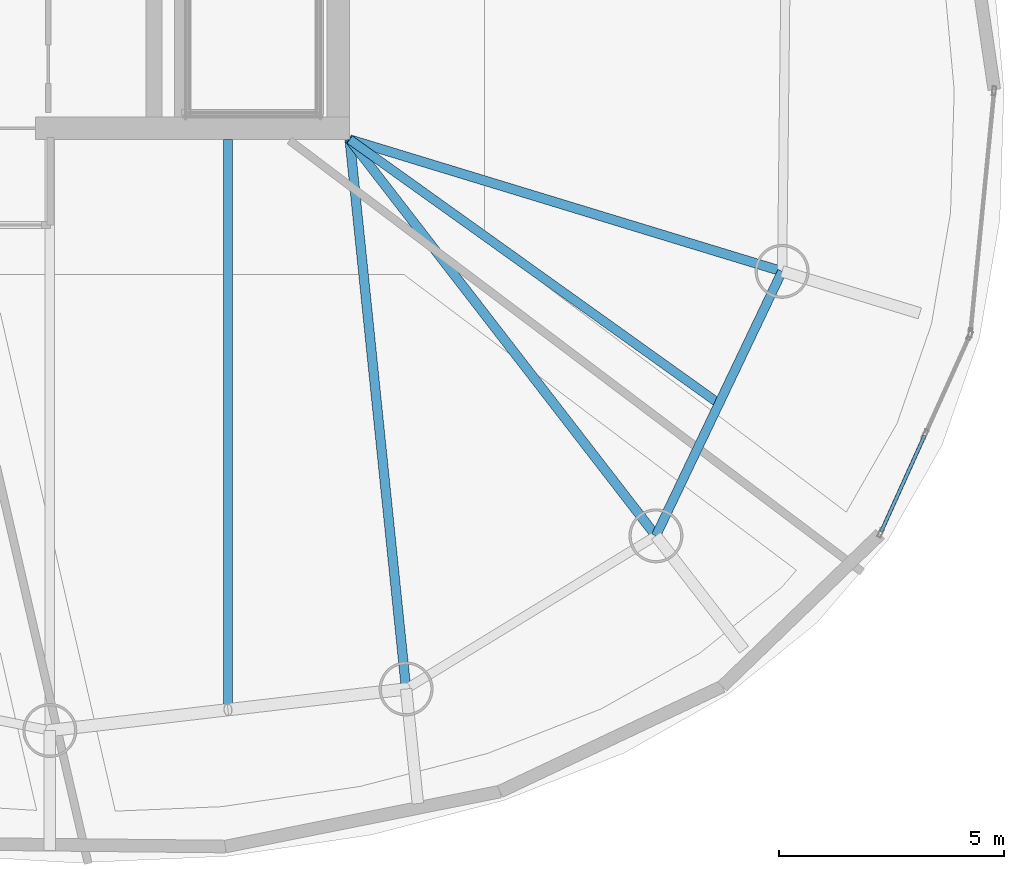
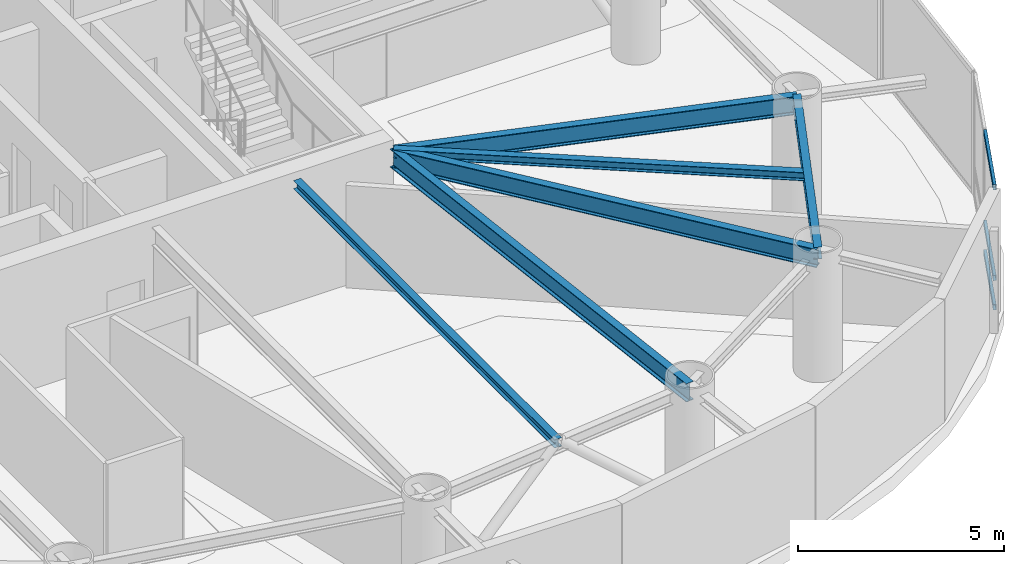
# One storey, part 8 of 25: 6 beams, 3 members, 1 element without a shape of its own.
"""IFC4 building model written with IfcOpenShell, lengths in metres."""

from ifc_helpers import new_model, si_unit, direction, frame, origin, origin_2d, place, context, subcontext, project, spatial, hollow_rectangle, i_section, extrude, material, layer, layer_set, material_profile, profile_set, type_object, element, aggregate, save


model = new_model("IFC4")

# Units and contexts
model_context = context("Model", 3, precision=1e-05, world=origin(), true_north=direction((0.0, 1.0)))
body_context = subcontext(model_context, "Body", "Model", "MODEL_VIEW")
ifc_project = project(units=[si_unit("LENGTHUNIT", "METRE"), si_unit("AREAUNIT", "SQUARE_METRE"), si_unit("VOLUMEUNIT", "CUBIC_METRE"), si_unit("PLANEANGLEUNIT", "RADIAN"), si_unit("MASSUNIT", "GRAM", prefix="KILO")], contexts=[model_context])

# Site, building, storey
site_placement = place(None, origin())
site = spatial("IfcSite", under=ifc_project, at=site_placement, CompositionType="ELEMENT")
building_placement = place(site_placement, origin())
building = spatial("IfcBuilding", under=site, at=building_placement, Name="Bramvorn Convention Spire", CompositionType="ELEMENT")
storey_placement = place(building_placement, frame((0.0, 0.0, 171.199951171875)))
storey = spatial("IfcBuildingStorey", under=building, at=storey_placement, Name="L43", CompositionType="ELEMENT", Elevation=171.199951171875)

# Beams
ifc_material_1 = material(Name="Steel CSA G40.21 Grade 350 (350W)", Category="steel")
ifc_material_profile_1 = material_profile(ifc_material_1, i_section(OverallWidth=0.201904296875, OverallDepth=0.2470703125, WebThickness=0.00732421875, FlangeThickness=0.010986328125, FilletRadius=0.011962890625, at=origin_2d()))
ifc_profile_set_1 = profile_set([ifc_material_profile_1], Name="Steel CSA G40.21 Grade 350 (350W) - W250X49")
beam_type_1 = type_object("IfcBeamType", Name="BM-W250X49", PredefinedType="JOIST", material=ifc_profile_set_1)
beam_1_placement = place(storey_placement, frame((49.25, 18.550048828125, 3.49658203125), z_axis=(0.813471895271, -0.581604225916, 0.0), x_axis=(0.581604225916, 0.813471895271, 0.0)))
element("IfcBeam", 1, at=beam_1_placement, inside=storey, type_object=beam_type_1, Name="L43 composite floor joist 01", PredefinedType="JOIST", context=body_context, shape_type="SweptSolid", body=[
    extrude(i_section(OverallWidth=0.201904296875, OverallDepth=0.2470703125, WebThickness=0.00732421875, FlangeThickness=0.010986328125, FilletRadius=0.011962890625, at=origin_2d()), origin(), (0.0, 0.0, 1.0), 10.093505859375),
])
beam_2_placement = place(storey_placement, frame((46.544189453125, 18.550048828125, 3.49658203125), z_axis=(0.0, -1.0, 0.0), x_axis=(1.0, 0.0, 0.0)))
element("IfcBeam", 2, at=beam_2_placement, inside=storey, type_object=beam_type_1, Name="L43 composite floor joist 15", PredefinedType="JOIST", context=body_context, shape_type="SweptSolid", body=[
    extrude(i_section(OverallWidth=0.201904296875, OverallDepth=0.2470703125, WebThickness=0.00732421875, FlangeThickness=0.010986328125, FilletRadius=0.011962890625, at=origin_2d()), origin(), (0.0, 0.0, 1.0), 12.67626953125),
])
ifc_material_profile_2 = material_profile(ifc_material_1, i_section(OverallWidth=0.205078125, OverallDepth=0.35400390625, WebThickness=0.009521484375, FlangeThickness=0.016845703125, FilletRadius=0.014892578125, at=origin_2d()))
ifc_profile_set_2 = profile_set([ifc_material_profile_2], Name="Steel CSA G40.21 Grade 350 (350W) - W360X79")
beam_type_2 = type_object("IfcBeamType", Name="BM-W360X79", PredefinedType="JOIST", material=ifc_profile_set_2)
beam_3_placement = place(storey_placement, frame((56.058349609375, 9.739990234375, 3.443115234375), z_axis=(0.430556138422, 0.902563799223, 0.0), x_axis=(-0.902563799223, 0.430556138422, 0.0)))
element("IfcBeam", 3, at=beam_3_placement, inside=storey, type_object=beam_type_2, Name="L43 mega-column ring beam 01", PredefinedType="JOIST", context=body_context, shape_type="SweptSolid", body=[
    extrude(i_section(OverallWidth=0.205078125, OverallDepth=0.35400390625, WebThickness=0.009521484375, FlangeThickness=0.016845703125, FilletRadius=0.014892578125, at=origin_2d()), origin(), (0.0, 0.0, 1.0), 6.51416015625),
])
ifc_material_profile_3 = material_profile(ifc_material_1, i_section(OverallWidth=0.2119140625, OverallDepth=0.5439453125, WebThickness=0.01318359375, FlangeThickness=0.021240234375, FilletRadius=0.01904296875, at=origin_2d()))
ifc_profile_set_3 = profile_set([ifc_material_profile_3], Name="Steel CSA G40.21 Grade 350 (350W) - W530X123")
beam_type_3 = type_object("IfcBeamType", Name="BM-W530X123", PredefinedType="BEAM", material=ifc_profile_set_3)
beam_4_placement = place(storey_placement, frame((49.25, 18.550048828125, 3.34814453125), z_axis=(0.611479951477, -0.791259925019, 0.0), x_axis=(0.791259925019, 0.611479951477, 0.0)))
element("IfcBeam", 4, at=beam_4_placement, inside=storey, type_object=beam_type_3, Name="L43 radial floor girder MC01", PredefinedType="BEAM", context=body_context, shape_type="SweptSolid", body=[
    extrude(i_section(OverallWidth=0.2119140625, OverallDepth=0.5439453125, WebThickness=0.01318359375, FlangeThickness=0.021240234375, FilletRadius=0.01904296875, at=origin_2d()), origin(), (0.0, 0.0, 1.0), 11.13427734375),
])
beam_5_placement = place(storey_placement, frame((49.25, 18.550048828125, 3.34814453125), z_axis=(0.95653637984, -0.291613021044, 0.0), x_axis=(0.291613021044, 0.95653637984, 0.0)))
element("IfcBeam", 5, at=beam_5_placement, inside=storey, type_object=beam_type_3, Name="L43 radial floor girder MC02", PredefinedType="BEAM", context=body_context, shape_type="SweptSolid", body=[
    extrude(i_section(OverallWidth=0.2119140625, OverallDepth=0.5439453125, WebThickness=0.01318359375, FlangeThickness=0.021240234375, FilletRadius=0.01904296875, at=origin_2d()), origin(), (0.0, 0.0, 1.0), 10.0498046875),
])
beam_6_placement = place(storey_placement, frame((49.25, 18.550048828125, 3.34814453125), z_axis=(0.10216509146, -0.994767457292, 0.0), x_axis=(0.994767457292, 0.10216509146, 0.0)))
element("IfcBeam", 6, at=beam_6_placement, inside=storey, type_object=beam_type_3, Name="L43 radial floor girder MC16", PredefinedType="BEAM", context=body_context, shape_type="SweptSolid", body=[
    extrude(i_section(OverallWidth=0.2119140625, OverallDepth=0.5439453125, WebThickness=0.01318359375, FlangeThickness=0.021240234375, FilletRadius=0.01904296875, at=origin_2d()), origin(), (0.0, 0.0, 1.0), 12.278076171875),
])

# Curtain wall, members
ifc_material_2 = material(Name="Anodised Bronze Unitised Curtain Wall", Category="aluminium")
ifc_layer = layer(ifc_material_2, 0.179931640625)
ifc_layer_set = layer_set([ifc_layer], Name="Anodised Bronze Unitised Curtain Wall - CW-OFF-FRIT")
curtain_wall_type = type_object("IfcCurtainWallType", Name="CW-OFF-FRIT", PredefinedType="USERDEFINED", material=ifc_layer_set)
curtain_wall_placement = place(storey_placement, origin())
curtain_wall = element("IfcCurtainWall", 7, at=curtain_wall_placement, inside=storey, type_object=curtain_wall_type, Name="L43 fritted glass curtain wall 01", ObjectType="UNITISED CURTAIN WALL", PredefinedType="USERDEFINED")
ifc_material_3 = material(Name="Anodised Bronze Aluminium 6063-T6", Category="aluminium")
ifc_material_profile_4 = material_profile(ifc_material_3, hollow_rectangle(XDim=0.080078125, YDim=0.159912109375, WallThickness=0.00390625, InnerFilletRadius=0.0009765625, OuterFilletRadius=0.00390625, at=origin_2d()))
ifc_profile_set_4 = profile_set([ifc_material_profile_4], Name="Anodised Bronze Aluminium 6063-T6 - CWT80X160")
member_type = type_object("IfcMemberType", Name="CW-TRN-150", PredefinedType="USERDEFINED", material=ifc_profile_set_4)
member_1_placement = place(storey_placement, frame((62.03173828125, 11.97119140625, 0.030029296875), z_axis=(-0.411302561597, -0.911498877028, 0.0), x_axis=(0.911498877028, -0.411302561597, 0.0)))
member_1 = element("IfcMember", 8, at=member_1_placement, type_object=member_type, Name="CW3 transom 2.1", ObjectType="TRANSOM", PredefinedType="USERDEFINED", context=body_context, shape_type="SweptSolid", body=[
    extrude(hollow_rectangle(XDim=0.080078125, YDim=0.159912109375, WallThickness=0.00390625, InnerFilletRadius=0.0009765625, OuterFilletRadius=0.00390625, at=origin_2d()), origin(), (0.0, 0.0, 1.0), 2.34814453125),
])
member_2_placement = place(storey_placement, frame((62.03173828125, 11.97119140625, 0.900146484375), z_axis=(-0.411302561597, -0.911498877028, 0.0), x_axis=(0.911498877028, -0.411302561597, 0.0)))
member_2 = element("IfcMember", 9, at=member_2_placement, type_object=member_type, Name="CW3 transom 2.2", ObjectType="TRANSOM", PredefinedType="USERDEFINED", context=body_context, shape_type="SweptSolid", body=[
    extrude(hollow_rectangle(XDim=0.080078125, YDim=0.159912109375, WallThickness=0.00390625, InnerFilletRadius=0.0009765625, OuterFilletRadius=0.00390625, at=origin_2d()), origin(), (0.0, 0.0, 1.0), 2.34814453125),
])
member_3_placement = place(storey_placement, frame((62.03173828125, 11.97119140625, 3.590087890625), z_axis=(-0.411302561597, -0.911498877028, 0.0), x_axis=(0.911498877028, -0.411302561597, 0.0)))
member_3 = element("IfcMember", 10, at=member_3_placement, type_object=member_type, Name="CW3 transom 2.3", ObjectType="TRANSOM", PredefinedType="USERDEFINED", context=body_context, shape_type="SweptSolid", body=[
    extrude(hollow_rectangle(XDim=0.080078125, YDim=0.159912109375, WallThickness=0.00390625, InnerFilletRadius=0.0009765625, OuterFilletRadius=0.00390625, at=origin_2d()), origin(), (0.0, 0.0, 1.0), 2.34814453125),
])
aggregate(curtain_wall, [member_1, member_2, member_3])

save(model, "model.ifc")
